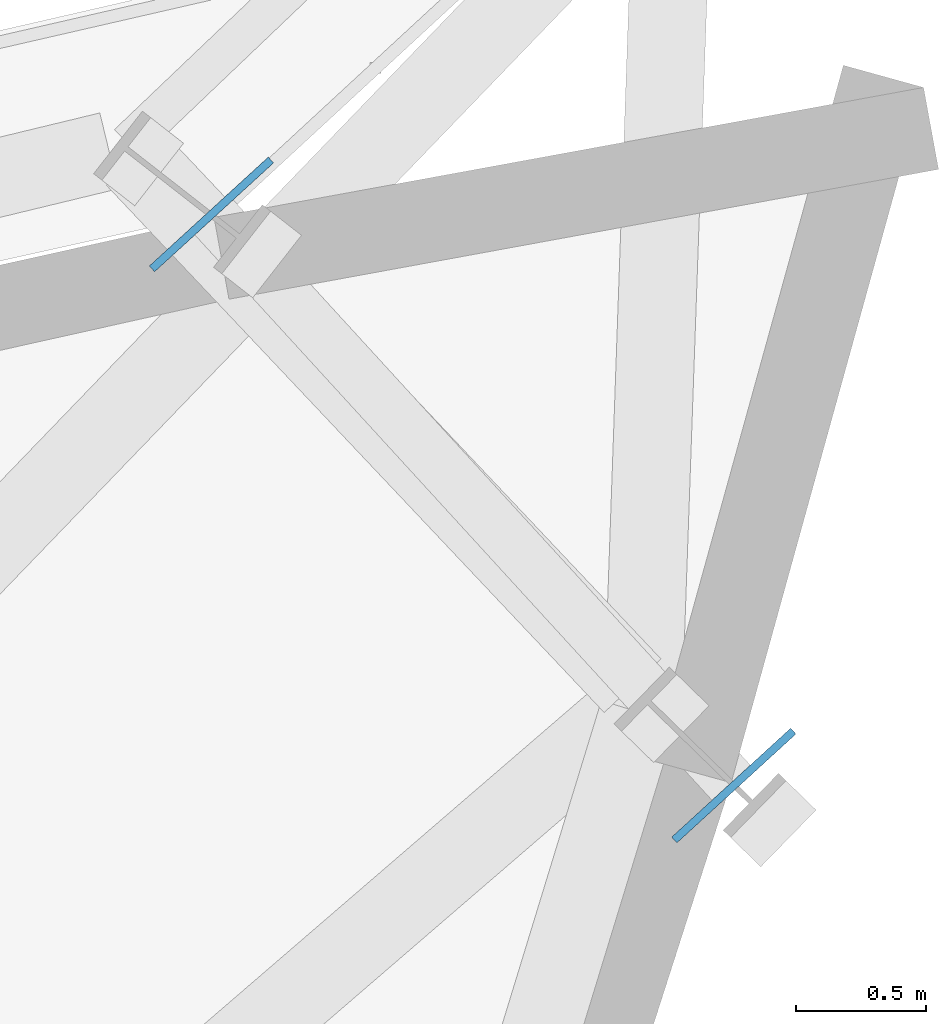
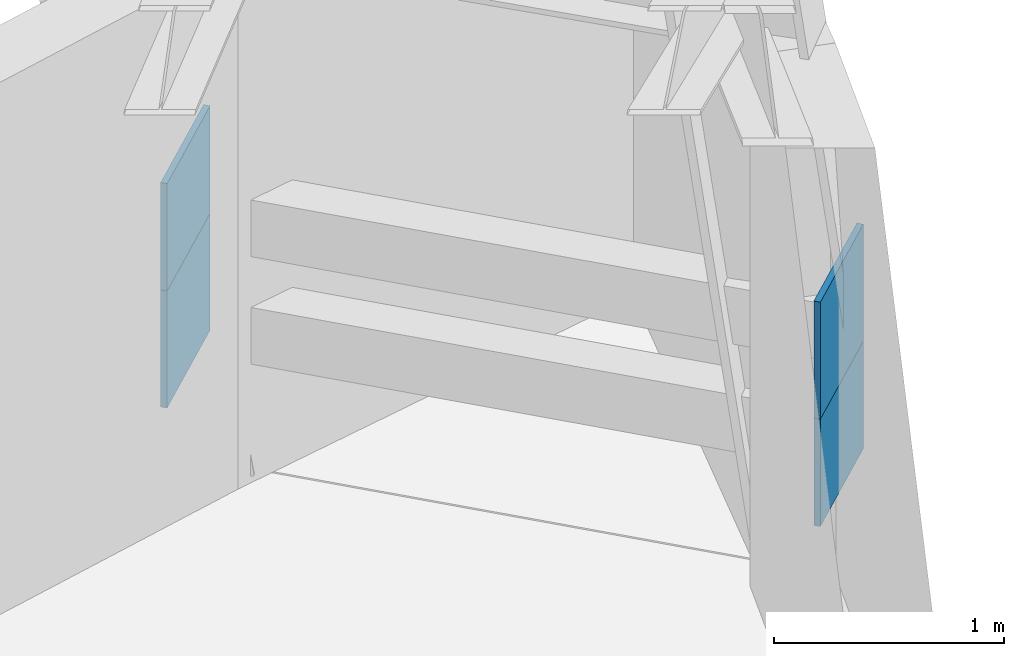
# One storey, part 7 of 13: 4 plates.
"""IFC4 building model written with IfcOpenShell, lengths in metres."""

import ifcopenshell
import ifcopenshell.guid

model = None  # the IFC model being written
_history = None  # IfcOwnerHistory: only IFC2X3 demands one
_inside = {}  # id of a spatial element -> (the spatial element, [elements in it])
_under = {}  # id of a project, library or spatial element -> (it, [spatial elements below it])
_declared = {}  # id of a project -> (the project, [libraries it declares])
_typed = {}  # id of a type object -> (the type object, [elements of that type])
_made_of = {}  # id of a material, layer set ... -> (it, [elements and type objects made of it])


def new_model(schema):
    """Start an empty IFC model of exactly this schema.

    Asked for "IFC4X3", IfcOpenShell would pick the latest addendum, in which some entities
    have other attributes; the version numbers below select the first issue.
    IFC2X3 requires an IfcOwnerHistory on every rooted entity: one is made here for all.
    """
    global model, _history
    if schema == "IFC4X3":
        model = ifcopenshell.file(schema_version=(4, 3, 0, 0))
    else:
        model = ifcopenshell.file(schema=schema)
    _inside.clear()
    _under.clear()
    _declared.clear()
    _typed.clear()
    _made_of.clear()
    _history = None
    if model.schema == "IFC2X3":
        org = make("IfcOrganization", Name="unknown")
        user = make(
            "IfcPersonAndOrganization",
            ThePerson=make("IfcPerson", FamilyName="unknown"),
            TheOrganization=org,
        )
        app = make(
            "IfcApplication",
            ApplicationDeveloper=org,
            Version="unknown",
            ApplicationFullName="unknown",
            ApplicationIdentifier="unknown",
        )
        _history = make(
            "IfcOwnerHistory",
            OwningUser=user,
            OwningApplication=app,
            ChangeAction="ADDED",
            CreationDate=0,
        )
    return model


def make(cls, **values):
    """One entity of the class cls with the attributes given. An attribute that is None is left unset."""
    return model.create_entity(
        cls, **{name: value for name, value in values.items() if value is not None}
    )


def rooted(cls, **values):
    """An entity with a GlobalId (a new one), such as an element, a storey or a relation."""
    return make(cls, GlobalId=ifcopenshell.guid.new(), OwnerHistory=_history, **values)


def si_unit(unit_type, name, prefix=None):
    """IfcSIUnit, for example si_unit("LENGTHUNIT", "METRE", prefix="MILLI")."""
    return make("IfcSIUnit", UnitType=unit_type, Prefix=prefix, Name=name)


def assignment(units):
    """IfcUnitAssignment: the units of a project."""
    return None if units is None else make("IfcUnitAssignment", Units=units)


def point(xyz):
    """IfcCartesianPoint."""
    return None if xyz is None else make("IfcCartesianPoint", Coordinates=xyz)


def direction(xyz):
    """IfcDirection."""
    return None if xyz is None else make("IfcDirection", DirectionRatios=xyz)


def frame(location, z_axis=None, x_axis=None):
    """IfcAxis2Placement3D, a coordinate frame: its origin and axes. An axis left out is left unset."""
    return make(
        "IfcAxis2Placement3D",
        Location=point(location),
        Axis=direction(z_axis),
        RefDirection=direction(x_axis),
    )


def frame_2d(location, x_axis=None):
    """IfcAxis2Placement2D, a coordinate frame in the plane: its origin and x axis."""
    return make(
        "IfcAxis2Placement2D", Location=point(location), RefDirection=direction(x_axis)
    )


def origin():
    """The frame at (0, 0, 0) with its axes left unset."""
    return frame((0.0, 0.0, 0.0))


def origin_2d():
    """The frame at (0, 0) in the plane with its x axis left unset."""
    return frame_2d((0.0, 0.0))


def place(relative_to, where):
    """IfcLocalPlacement: puts the frame where relative to a parent placement (None: the world)."""
    return make(
        "IfcLocalPlacement", PlacementRelTo=relative_to, RelativePlacement=where
    )


def context(
    kind, dimensions, precision=None, world=None, true_north=None, identifier=None
):
    """IfcGeometricRepresentationContext, for example the 3D "Model" context."""
    return make(
        "IfcGeometricRepresentationContext",
        ContextIdentifier=identifier,
        ContextType=kind,
        CoordinateSpaceDimension=dimensions,
        Precision=precision,
        WorldCoordinateSystem=world,
        TrueNorth=true_north,
    )


def subcontext(parent, identifier, kind, view, scale=None):
    """IfcGeometricRepresentationSubContext, for example "Body" below "Model"."""
    return make(
        "IfcGeometricRepresentationSubContext",
        ContextIdentifier=identifier,
        ContextType=kind,
        ParentContext=parent,
        TargetScale=scale,
        TargetView=view,
    )


def project(units=None, contexts=None):
    """IfcProject with its units and contexts."""
    return rooted(
        "IfcProject",
        Name="project",
        RepresentationContexts=contexts,
        UnitsInContext=assignment(units),
    )


def spatial(cls, under=None, at=None, **own):
    """A site, building, storey or space (cls), placed at a placement, below another one or the project."""
    s = rooted(cls, ObjectPlacement=at, **own)
    if under is not None:
        _under.setdefault(under.id(), (under, []))[1].append(s)
    return s


def profile(cls, at=None, kind="AREA", **sizes):
    """A parametric profile (cls). Its sizes go by their IFC names, for example OverallWidth=200.0."""
    return make(cls, ProfileType=kind, Position=at, **sizes)


def rectangle(**sizes):
    """IfcRectangleProfileDef."""
    return profile("IfcRectangleProfileDef", **sizes)


def extrude(swept, where, along, depth):
    """IfcExtrudedAreaSolid: the profile swept, set in the frame where, extruded along a direction by depth."""
    return make(
        "IfcExtrudedAreaSolid",
        SweptArea=swept,
        Position=where,
        ExtrudedDirection=direction(along),
        Depth=depth,
    )


def shape(context_of_items, identifier, shape_type, items):
    """IfcShapeRepresentation: the items that make up one representation, for example the "Body"."""
    return make(
        "IfcShapeRepresentation",
        ContextOfItems=context_of_items,
        RepresentationIdentifier=identifier,
        RepresentationType=shape_type,
        Items=items,
    )


def source(mapping_origin, context_of_items, identifier, shape_type, items):
    """IfcRepresentationMap: a shape defined once, which mapped items show again and again."""
    return make(
        "IfcRepresentationMap",
        MappingOrigin=mapping_origin,
        MappedRepresentation=shape(context_of_items, identifier, shape_type, items),
    )


def transform(
    local_origin,
    x_axis=None,
    y_axis=None,
    z_axis=None,
    scale=None,
    scale2=None,
    scale3=None,
    uniform=True,
):
    """IfcCartesianTransformationOperator3D, or its non-uniform kind. x_axis, y_axis, z_axis: its Axis1, 2, 3."""
    if uniform:
        return make(
            "IfcCartesianTransformationOperator3D",
            Axis1=direction(x_axis),
            Axis2=direction(y_axis),
            LocalOrigin=point(local_origin),
            Scale=scale,
            Axis3=direction(z_axis),
        )
    return make(
        "IfcCartesianTransformationOperator3DnonUniform",
        Axis1=direction(x_axis),
        Axis2=direction(y_axis),
        LocalOrigin=point(local_origin),
        Scale=scale,
        Axis3=direction(z_axis),
        Scale2=scale2,
        Scale3=scale3,
    )


def mapped(mapping_source, mapping_target):
    """IfcMappedItem: shows the shape of a source again, moved by a transform."""
    return make(
        "IfcMappedItem", MappingSource=mapping_source, MappingTarget=mapping_target
    )


def material(Name=None, Category=None):
    """IfcMaterial."""
    return make("IfcMaterial", Name=Name, Category=Category)


def made_of(thing, what):
    """Note that an element or type object is made of a material, layer set ...; save() writes the relation."""
    if what is not None:
        _made_of.setdefault(what.id(), (what, []))[1].append(thing)
    return thing


def type_object(cls, material=None, **own):
    """A type object (cls), such as IfcWallType, which elements share."""
    return made_of(rooted(cls, **own), material)


def element(
    cls,
    number,
    at=None,
    inside=None,
    cuts=None,
    type_object=None,
    material=None,
    context=None,
    identifier="Body",
    shape_type=None,
    held_by="IfcProductDefinitionShape",
    body=None,
    shapes=None,
    **own,
):
    """One element of the class cls, such as IfcWall. Its Tag is "e" and its number.

    at: its placement. inside: the storey or other place that contains it. cuts: it is an
    opening in that element (IfcRelVoidsElement). A single representation is given by context,
    identifier, shape_type and body (its items); several are given by shapes. held_by: the class
    of the entity that holds the representations. save() writes the other relations.
    """
    e = rooted(cls, Tag="e%d" % number, ObjectPlacement=at, **own)
    if body is not None:
        shapes = [shape(context, identifier, shape_type, body)]
    if shapes is not None:
        e.Representation = make(held_by, Representations=shapes)
    if inside is not None:
        _inside.setdefault(inside.id(), (inside, []))[1].append(e)
    if cuts is not None:
        rooted(
            "IfcRelVoidsElement", RelatingBuildingElement=cuts, RelatedOpeningElement=e
        )
    if type_object is not None:
        _typed.setdefault(type_object.id(), (type_object, []))[1].append(e)
    return made_of(e, material)


def aggregate(whole, parts):
    """IfcRelAggregates: a whole, such as a stair, and the parts it consists of."""
    return rooted("IfcRelAggregates", RelatingObject=whole, RelatedObjects=parts)


def save(model, path):
    """Write the relations noted so far, then the file.

    IfcRelAggregates (storeys below a building ...), IfcRelContainedInSpatialStructure (elements
    in a storey), IfcRelDefinesByType, IfcRelAssociatesMaterial and IfcRelDeclares: one each for
    every whole, place, type object, material and project.
    """
    for whole, parts in _under.values():
        aggregate(whole, parts)
    for where, things in _inside.values():
        rooted(
            "IfcRelContainedInSpatialStructure",
            RelatedElements=things,
            RelatingStructure=where,
        )
    for kind, things in _typed.values():
        rooted("IfcRelDefinesByType", RelatedObjects=things, RelatingType=kind)
    for what, things in _made_of.values():
        rooted("IfcRelAssociatesMaterial", RelatedObjects=things, RelatingMaterial=what)
    for by, libraries in _declared.values():
        rooted("IfcRelDeclares", RelatingContext=by, RelatedDefinitions=libraries)
    model.write(path)


model = new_model("IFC4")

# Units and contexts
model_context = context("Model", 3, precision=1e-05, world=origin(), true_north=direction((0.0, 1.0)))
body_context = subcontext(model_context, "Body", "Model", "MODEL_VIEW")
ifc_project = project(units=[si_unit("LENGTHUNIT", "METRE"), si_unit("AREAUNIT", "SQUARE_METRE"), si_unit("VOLUMEUNIT", "CUBIC_METRE"), si_unit("PLANEANGLEUNIT", "RADIAN"), si_unit("MASSUNIT", "GRAM", prefix="KILO")], contexts=[model_context])

# Site, building, storey
site_placement = place(None, origin())
site = spatial("IfcSite", under=ifc_project, at=site_placement, CompositionType="ELEMENT")
building_placement = place(site_placement, origin())
building = spatial("IfcBuilding", under=site, at=building_placement, Name="Olszyna Solenne Hotel", CompositionType="ELEMENT")
storey_placement = place(building_placement, frame((0.0, 0.0, 209.60009765625)))
storey = spatial("IfcBuildingStorey", under=building, at=storey_placement, Name="L55", CompositionType="ELEMENT", Elevation=209.60009765625)

# Plates
ifc_material = material(Name="Steel S460M", Category="steel")
plate_type = type_object("IfcPlateType", Name="GP-CAP2", PredefinedType="USERDEFINED", material=ifc_material)
shared_shape = source(origin(), body_context, "Body", "SweptSolid", [
    extrude(rectangle(XDim=0.030029296875, YDim=0.6201171875, at=origin_2d()), origin(), (0.0, 0.0, 1.0), 0.6201171875),
])
for number, where, z_axis, x_axis, name in (
    (1, (60.168701171875, 45.068115234375, 1.039794921875), (0.0, 0.0, 1.0), (-0.6749465546, 0.737866619677, 0.0), "Hollow section end-cap plate GP-CAP2 CP-PR-M-L55-PR1-1"),
    (2, (58.16015625, 47.26416015625, 1.039794921875), (0.0, 0.0, 1.0), (-0.6749465546, 0.737866619677, 0.0), "Hollow section end-cap plate GP-CAP2 CP-PR-M-L55-PR1-2"),
    (3, (60.168701171875, 45.068115234375, 0.4697265625), (0.0, 0.0, 1.0), (-0.6749465546, 0.737866619677, 0.0), "Hollow section end-cap plate GP-CAP2 CP-PR-M-L55-PR2-1"),
    (4, (58.16015625, 47.26416015625, 0.4697265625), (0.0, 0.0, 1.0), (-0.6749465546, 0.737866619677, 0.0), "Hollow section end-cap plate GP-CAP2 CP-PR-M-L55-PR2-2"),
):
    element("IfcPlate", number, at=place(storey_placement, frame(where, z_axis=z_axis, x_axis=x_axis)), inside=storey, type_object=plate_type, Name=name, ObjectType="GUSSET_PLATE", PredefinedType="USERDEFINED", context=body_context, shape_type="MappedRepresentation", body=[
        mapped(shared_shape, transform((0.0, 0.0, 0.0), x_axis=(1.0, 0.0, 0.0), y_axis=(0.0, 1.0, 0.0), z_axis=(0.0, 0.0, 1.0), scale=1.0)),
    ])

save(model, "model.ifc")
